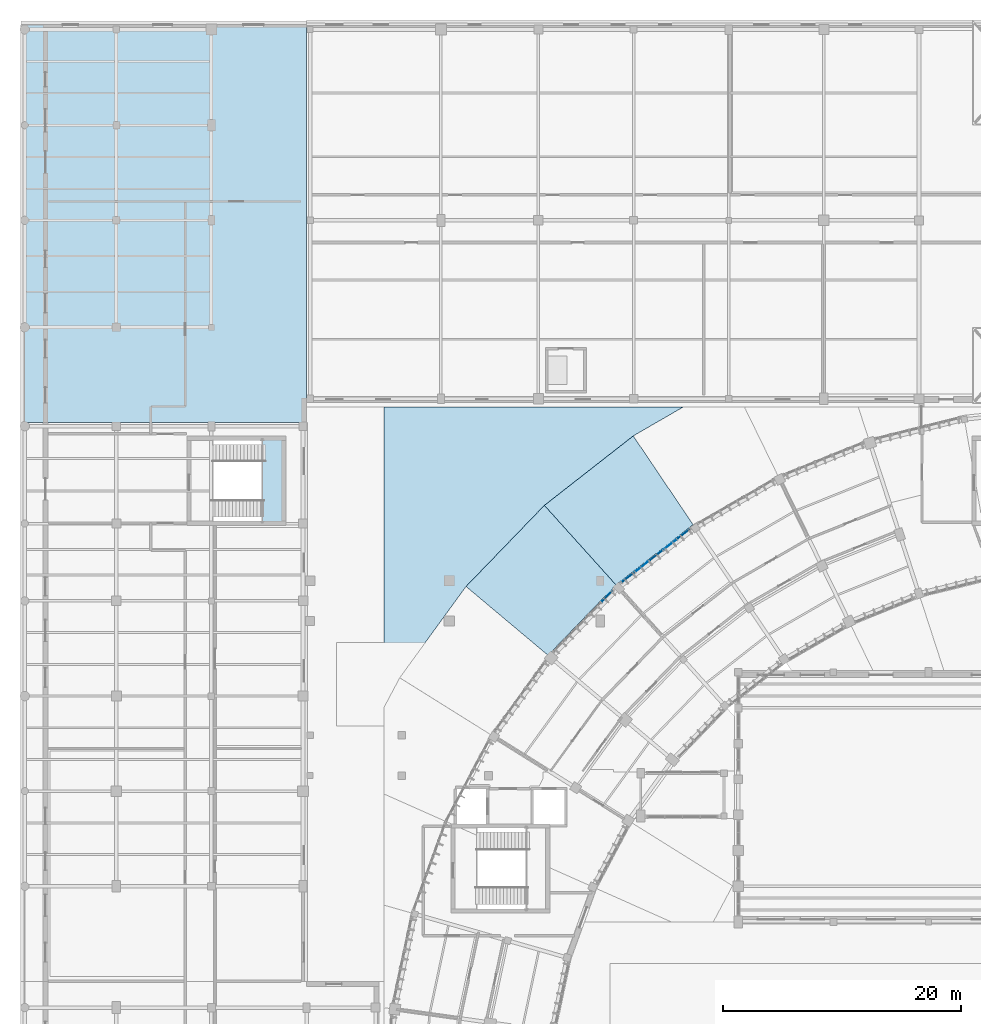
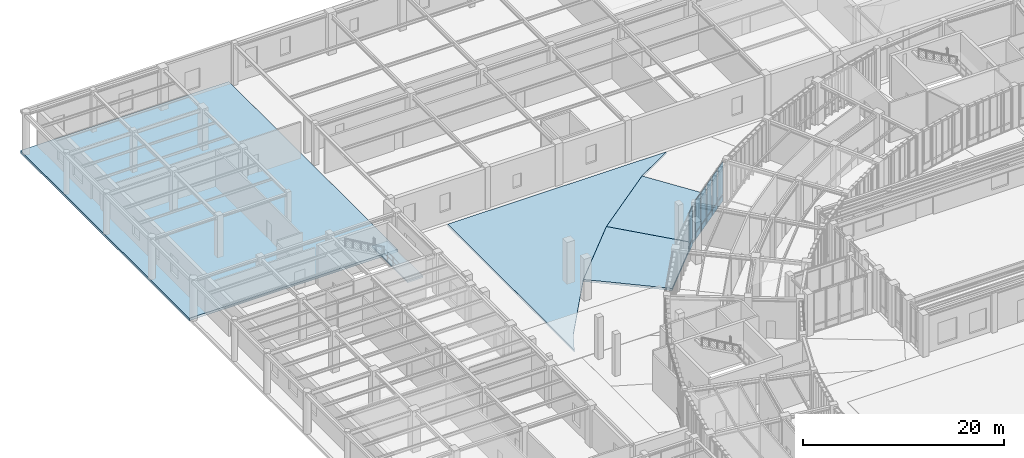
# One storey, part 26 of 68: 12 plates, 5 slabs, 3 elements without a shape of their own.
"""IFC4 building model written with IfcOpenShell, lengths in metres."""

from ifc_helpers import new_model, si_unit, direction, frame, origin, origin_2d, place, context, subcontext, project, spatial, polyline, rectangle, outline, extrude, material, layer, layer_set, type_object, element, aggregate, save


model = new_model("IFC4")

# Units and contexts
model_context = context("Model", 3, precision=1e-05, world=origin(), true_north=direction((0.0, 1.0)))
body_context = subcontext(model_context, "Body", "Model", "MODEL_VIEW")
ifc_project = project(units=[si_unit("LENGTHUNIT", "METRE"), si_unit("AREAUNIT", "SQUARE_METRE"), si_unit("VOLUMEUNIT", "CUBIC_METRE"), si_unit("PLANEANGLEUNIT", "RADIAN"), si_unit("MASSUNIT", "GRAM", prefix="KILO"), si_unit("THERMODYNAMICTEMPERATUREUNIT", "KELVIN"), si_unit("POWERUNIT", "WATT")], contexts=[model_context])

# Site, building, storey
site_placement = place(None, origin())
site = spatial("IfcSite", under=ifc_project, at=site_placement, CompositionType="ELEMENT")
building_placement = place(site_placement, origin())
building = spatial("IfcBuilding", under=site, at=building_placement, Name="Solvatero Civic Police Headquarters", CompositionType="ELEMENT")
storey_placement = place(building_placement, origin())
storey = spatial("IfcBuildingStorey", under=building, at=storey_placement, Name="L00", CompositionType="ELEMENT", Elevation=0.0)

# Curtain wall, plates
ifc_material_1 = material(Name="Anodized Bronze Aluminium", Category="aluminium")
ifc_layer_1 = layer(ifc_material_1, 0.179931640625)
ifc_layer_set_1 = layer_set([ifc_layer_1], Name="Anodized Bronze Aluminium")
curtain_wall_type = type_object("IfcCurtainWallType", Name="CW-ARC-OUT", PredefinedType="USERDEFINED", material=ifc_layer_set_1)
curtain_wall_1_placement = place(storey_placement, origin())
curtain_wall_1 = element("IfcCurtainWall", 1, at=curtain_wall_1_placement, inside=storey, type_object=curtain_wall_type, Name="Curtain Wall CW-R2-L00-ARC-OUT-B06", ObjectType="UNITISED", PredefinedType="USERDEFINED")
ifc_material_2 = material(Name="Triple Low-E Laminated Glass", Category="glass")
ifc_layer_2 = layer(ifc_material_2, 0.0380859375)
ifc_layer_set_2 = layer_set([ifc_layer_2], Name="Triple Low-E Laminated Glass")
plate_type_1 = type_object("IfcPlateType", Name="CWP-GLZ-38", PredefinedType="CURTAIN_PANEL", material=ifc_layer_set_2)
plate_1_placement = place(storey_placement, frame((59.044189453125, 73.227294921875, 0.91015625), z_axis=(0.0, 0.0, 1.0), x_axis=(-0.788010753607, -0.615661475326, 0.0)))
plate_1 = element("IfcPlate", 2, at=plate_1_placement, type_object=plate_type_1, Name="CW-R2-L00-ARC-OUT-B06 Vision Glazing 2", PredefinedType="CURTAIN_PANEL", context=body_context, shape_type="SweptSolid", body=[
    extrude(rectangle(XDim=1.300537109375, YDim=0.0380859375, at=origin_2d()), origin(), (0.0, 0.0, 1.0), 3.909912109375),
])
plate_2_placement = place(storey_placement, frame((56.7109375, 71.404296875, 0.91015625), z_axis=(0.0, 0.0, 1.0), x_axis=(-0.788010753607, -0.615661475326, 0.0)))
plate_2 = element("IfcPlate", 3, at=plate_2_placement, type_object=plate_type_1, Name="CW-R2-L00-ARC-OUT-B06 Vision Glazing 4", PredefinedType="CURTAIN_PANEL", context=body_context, shape_type="SweptSolid", body=[
    extrude(rectangle(XDim=1.300537109375, YDim=0.0380859375, at=origin_2d()), origin(), (0.0, 0.0, 1.0), 3.909912109375),
])
ifc_material_3 = material(Name="Acoustic Ballistic Laminated Glass", Category="glass")
ifc_layer_3 = layer(ifc_material_3, 0.0439453125)
ifc_layer_set_3 = layer_set([ifc_layer_3], Name="Acoustic Ballistic Laminated Glass")
plate_type_2 = type_object("IfcPlateType", Name="CWP-GLZ-44", PredefinedType="CURTAIN_PANEL", material=ifc_layer_set_3)
plate_3_placement = place(storey_placement, frame((60.2109375, 74.138916015625, 0.91015625), z_axis=(0.0, 0.0, 1.0), x_axis=(-0.788010753607, -0.615661475326, 0.0)))
plate_3 = element("IfcPlate", 4, at=plate_3_placement, type_object=plate_type_2, Name="CW-R2-L00-ARC-OUT-B06 Vision Glazing 1", PredefinedType="CURTAIN_PANEL", context=body_context, shape_type="SweptSolid", body=[
    extrude(rectangle(XDim=1.300537109375, YDim=0.0439453125, at=origin_2d()), origin(), (0.0, 0.0, 1.0), 3.909912109375),
])
plate_4_placement = place(storey_placement, frame((57.877685546875, 72.31591796875, 0.91015625), z_axis=(0.0, 0.0, 1.0), x_axis=(-0.788010753607, -0.615661475326, 0.0)))
plate_4 = element("IfcPlate", 5, at=plate_4_placement, type_object=plate_type_2, Name="CW-R2-L00-ARC-OUT-B06 Vision Glazing 3", PredefinedType="CURTAIN_PANEL", context=body_context, shape_type="SweptSolid", body=[
    extrude(rectangle(XDim=1.300537109375, YDim=0.0439453125, at=origin_2d()), origin(), (0.0, 0.0, 1.0), 3.909912109375),
])
plate_5_placement = place(storey_placement, frame((55.544189453125, 70.492919921875, 0.91015625), z_axis=(0.0, 0.0, 1.0), x_axis=(-0.788010753607, -0.615661475326, 0.0)))
plate_5 = element("IfcPlate", 6, at=plate_5_placement, type_object=plate_type_2, Name="CW-R2-L00-ARC-OUT-B06 Vision Glazing 5", PredefinedType="CURTAIN_PANEL", context=body_context, shape_type="SweptSolid", body=[
    extrude(rectangle(XDim=1.300537109375, YDim=0.0439453125, at=origin_2d()), origin(), (0.0, 0.0, 1.0), 3.909912109375),
])

# Curtain wall, plate
curtain_wall_2_placement = place(storey_placement, origin())
curtain_wall_2 = element("IfcCurtainWall", 7, at=curtain_wall_2_placement, inside=storey, type_object=curtain_wall_type, Name="Curtain Wall CW-R2-L00-ARC-OUT-B07", ObjectType="UNITISED", PredefinedType="USERDEFINED")
plate_6_placement = place(storey_placement, frame((53.779296875, 68.90478515625, 0.91015625), z_axis=(0.0, 0.0, 1.0), x_axis=(-0.694658370459, -0.719339800339, 0.0)))
plate_6 = element("IfcPlate", 8, at=plate_6_placement, type_object=plate_type_2, Name="CW-R2-L00-ARC-OUT-B07 Vision Glazing 1", PredefinedType="CURTAIN_PANEL", context=body_context, shape_type="SweptSolid", body=[
    extrude(rectangle(XDim=1.275390625, YDim=0.0439453125, at=origin_2d()), origin(), (0.0, 0.0, 1.0), 3.909912109375),
])

# Plate
ifc_material_4 = material(Name="Insulated Bronze Aluminium Spandrel", Category="aluminium")
ifc_layer_4 = layer(ifc_material_4, 0.06005859375)
ifc_layer_set_4 = layer_set([ifc_layer_4], Name="Insulated Bronze Aluminium Spandrel")
plate_type_3 = type_object("IfcPlateType", Name="CWP-SPN-60", PredefinedType="CURTAIN_PANEL", material=ifc_layer_set_4)
plate_7_placement = place(storey_placement, frame((59.044189453125, 73.227294921875, 0.06005859375), z_axis=(0.0, 0.0, 1.0), x_axis=(-0.788010753607, -0.615661475326, 0.0)))
plate_7 = element("IfcPlate", 9, at=plate_7_placement, type_object=plate_type_3, Name="CW-R2-L00-ARC-OUT-B06 Spandrel Panel 2", PredefinedType="CURTAIN_PANEL", context=body_context, shape_type="SweptSolid", body=[
    extrude(rectangle(XDim=1.300537109375, YDim=0.06005859375, at=origin_2d()), origin(), (0.0, 0.0, 1.0), 0.72998046875),
])

plate_8_placement = place(storey_placement, frame((56.7109375, 71.404296875, 0.06005859375), z_axis=(0.0, 0.0, 1.0), x_axis=(-0.788010753607, -0.615661475326, 0.0)))
plate_8 = element("IfcPlate", 10, at=plate_8_placement, type_object=plate_type_3, Name="CW-R2-L00-ARC-OUT-B06 Spandrel Panel 4", PredefinedType="CURTAIN_PANEL", context=body_context, shape_type="SweptSolid", body=[
    extrude(rectangle(XDim=1.300537109375, YDim=0.06005859375, at=origin_2d()), origin(), (0.0, 0.0, 1.0), 0.72998046875),
])

ifc_material_5 = material(Name="Limestone Veneer Spandrel Panel", Category="masonry")
ifc_layer_5 = layer(ifc_material_5, 0.074951171875)
ifc_layer_set_5 = layer_set([ifc_layer_5], Name="Limestone Veneer Spandrel Panel")
plate_type_4 = type_object("IfcPlateType", Name="CWP-SPN-75", PredefinedType="CURTAIN_PANEL", material=ifc_layer_set_5)
plate_9_placement = place(storey_placement, frame((60.2109375, 74.138916015625, 0.06005859375), z_axis=(0.0, 0.0, 1.0), x_axis=(-0.788010753607, -0.615661475326, 0.0)))
plate_9 = element("IfcPlate", 11, at=plate_9_placement, type_object=plate_type_4, Name="CW-R2-L00-ARC-OUT-B06 Spandrel Panel 1", PredefinedType="CURTAIN_PANEL", context=body_context, shape_type="SweptSolid", body=[
    extrude(rectangle(XDim=1.300537109375, YDim=0.074951171875, at=origin_2d()), origin(), (0.0, 0.0, 1.0), 0.72998046875),
])

plate_10_placement = place(storey_placement, frame((57.877685546875, 72.31591796875, 0.06005859375), z_axis=(0.0, 0.0, 1.0), x_axis=(-0.788010753607, -0.615661475326, 0.0)))
plate_10 = element("IfcPlate", 12, at=plate_10_placement, type_object=plate_type_4, Name="CW-R2-L00-ARC-OUT-B06 Spandrel Panel 3", PredefinedType="CURTAIN_PANEL", context=body_context, shape_type="SweptSolid", body=[
    extrude(rectangle(XDim=1.300537109375, YDim=0.074951171875, at=origin_2d()), origin(), (0.0, 0.0, 1.0), 0.72998046875),
])

plate_11_placement = place(storey_placement, frame((55.544189453125, 70.492919921875, 0.06005859375), z_axis=(0.0, 0.0, 1.0), x_axis=(-0.788010753607, -0.615661475326, 0.0)))
plate_11 = element("IfcPlate", 13, at=plate_11_placement, type_object=plate_type_4, Name="CW-R2-L00-ARC-OUT-B06 Spandrel Panel 5", PredefinedType="CURTAIN_PANEL", context=body_context, shape_type="SweptSolid", body=[
    extrude(rectangle(XDim=1.300537109375, YDim=0.074951171875, at=origin_2d()), origin(), (0.0, 0.0, 1.0), 0.72998046875),
])

aggregate(curtain_wall_1, [plate_9, plate_3, plate_7, plate_1, plate_10, plate_4, plate_8, plate_2, plate_11, plate_5])

plate_12_placement = place(storey_placement, frame((53.779296875, 68.90478515625, 0.06005859375), z_axis=(0.0, 0.0, 1.0), x_axis=(-0.694658370459, -0.719339800339, 0.0)))
plate_12 = element("IfcPlate", 14, at=plate_12_placement, type_object=plate_type_4, Name="CW-R2-L00-ARC-OUT-B07 Spandrel Panel 1", PredefinedType="CURTAIN_PANEL", context=body_context, shape_type="SweptSolid", body=[
    extrude(rectangle(XDim=1.275390625, YDim=0.074951171875, at=origin_2d()), origin(), (0.0, 0.0, 1.0), 0.72998046875),
])

aggregate(curtain_wall_2, [plate_12, plate_6])

# Stair, slab
ifc_material_6 = material(Name="Precast concrete C40/50", Category="concrete")
stair_type = type_object("IfcStairType", Name="STR-C145-510", PredefinedType="HALF_TURN_STAIR", material=ifc_material_6)
stair_placement = place(storey_placement, origin())
stair = element("IfcStair", 15, at=stair_placement, inside=storey, type_object=stair_type, Name="Protected Exit Stair ST-C4 (L00 to L01)", PredefinedType="HALF_TURN_STAIR")
ifc_layer_6 = layer(ifc_material_6, 0.199951171875)
ifc_layer_set_6 = layer_set([ifc_layer_6], Name="Precast concrete C40/50")
slab_type_1 = type_object("IfcSlabType", Name="SLB-LND-200", PredefinedType="LANDING", material=ifc_layer_set_6)
slab_1_placement = place(storey_placement, frame((0.0, 0.0, 2.35009765625)))
slab_1 = element("IfcSlab", 16, at=slab_1_placement, type_object=slab_type_1, Name="ST-C4 L00 Half-Landing", PredefinedType="LANDING", context=body_context, shape_type="SweptSolid", body=[
    extrude(outline(polyline([(24.764892578125, 75.050048828125), (26.550048828125, 75.050048828125), (26.550048828125, 82.14990234375), (24.764892578125, 82.14990234375), (24.764892578125, 75.050048828125)])), origin(), (0.0, 0.0, 1.0), 0.199951171875),
])
aggregate(stair, [slab_1])

# Slabs
ifc_material_7 = material(Name="Concrete C40/50", Category="concrete")
ifc_layer_7 = layer(ifc_material_7, 0.300048828125)
ifc_layer_set_7 = layer_set([ifc_layer_7], Name="Concrete C40/50")
slab_type_2 = type_object("IfcSlabType", Name="SLB-RC-300", PredefinedType="FLOOR", material=ifc_layer_set_7)
slab_2_placement = place(storey_placement, frame((0.0, 0.0, -0.300048828125)))
element("IfcSlab", 17, at=slab_2_placement, inside=storey, type_object=slab_type_2, Name="L00 Suspended floor slab SLB-L00-V7NW", PredefinedType="FLOOR", context=body_context, shape_type="SweptSolid", body=[
    extrude(outline(polyline([(4.5, 117.199951171875), (28.5, 117.199951171875), (28.5, 83.501953125), (4.5, 83.501953125), (4.5, 117.199951171875)])), origin(), (0.0, 0.0, 1.0), 0.300048828125),
])
ifc_material_8 = material(Name="Concrete C35/45", Category="concrete")
ifc_layer_8 = layer(ifc_material_8, 0.260009765625)
ifc_layer_set_8 = layer_set([ifc_layer_8], Name="Concrete C35/45")
slab_type_3 = type_object("IfcSlabType", Name="SLB-TERR-260", PredefinedType="FLOOR", material=ifc_layer_set_8)
slab_3_placement = place(storey_placement, frame((0.0, 0.0, -0.260009765625)))
element("IfcSlab", 18, at=slab_3_placement, inside=storey, type_object=slab_type_3, Name="L00 Walkable roof terrace slab SLB-L00-CROUT-B06", PredefinedType="FLOOR", context=body_context, shape_type="SweptSolid", body=[
    extrude(outline(polyline([(55.973388671875, 82.373291015625), (61.0048828125, 74.91357421875), (54.52001953125, 69.846923828125), (48.4990234375, 76.53369140625), (55.973388671875, 82.373291015625)])), origin(), (0.0, 0.0, 1.0), 0.260009765625),
])
slab_4_placement = place(storey_placement, frame((0.0, 0.0, -0.260009765625)))
element("IfcSlab", 19, at=slab_4_placement, inside=storey, type_object=slab_type_3, Name="L00 Walkable roof terrace slab SLB-L00-CROUT-B07", PredefinedType="FLOOR", context=body_context, shape_type="SweptSolid", body=[
    extrude(outline(polyline([(48.497802734375, 76.532470703125), (54.5185546875, 69.845458984375), (48.802001953125, 63.92578125), (41.908935546875, 69.709716796875), (48.497802734375, 76.532470703125)])), origin(), (0.0, 0.0, 1.0), 0.260009765625),
])
slab_5_placement = place(storey_placement, frame((0.0, 0.0, -0.260009765625)))
element("IfcSlab", 20, at=slab_5_placement, inside=storey, type_object=slab_type_3, Name="L00 Walkable roof terrace slab SLB-L00-COURT-FILL", PredefinedType="FLOOR", context=body_context, shape_type="SweptSolid", body=[
    extrude(outline(polyline([(55.973876953125, 82.376220703125), (48.49609375, 76.5341796875), (41.906005859375, 69.70947265625), (36.329833984375, 62.033935546875), (35.001953125, 59.5361328125), (35.001953125, 84.798095703125), (60.16845703125, 84.798095703125), (55.973876953125, 82.376220703125)])), origin(), (0.0, 0.0, 1.0), 0.260009765625),
])

save(model, "model.ifc")
